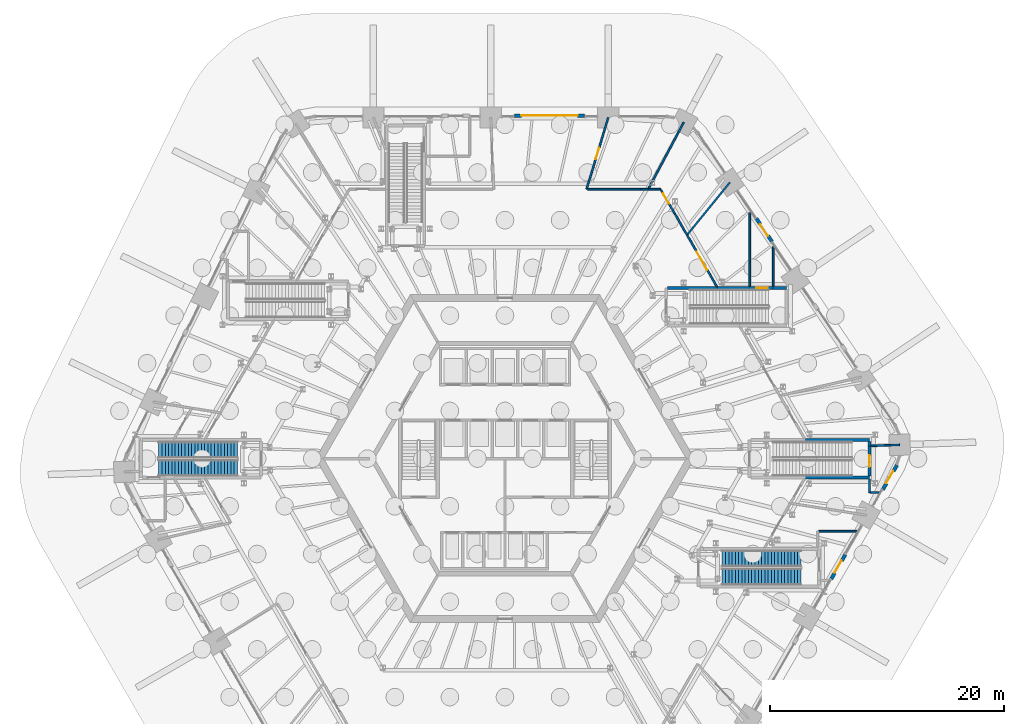
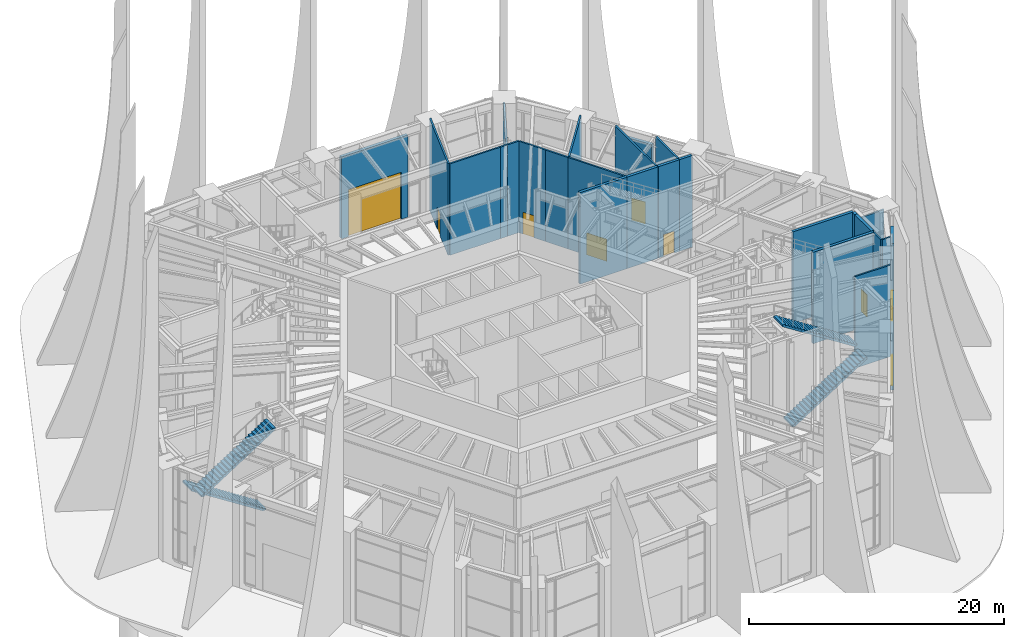
# One storey, part 30 of 43: 27 walls, 9 doors, 4 stair flights, 9 openings, 2 elements without a shape of their own.
"""IFC4 building model written with IfcOpenShell, lengths in metres."""

from ifc_helpers import new_model, si_unit, direction, frame, frame_2d, origin, place, context, subcontext, project, spatial, polyline, rectangle, outline, extrude, material, layer, layer_set, type_object, element, fill, aggregate, save


model = new_model("IFC4")

# Units and contexts
model_context = context("Model", 3, precision=1e-05, world=origin(), true_north=direction((0.0, 1.0)))
body_context = subcontext(model_context, "Body", "Model", "MODEL_VIEW")
ifc_project = project(units=[si_unit("LENGTHUNIT", "METRE"), si_unit("AREAUNIT", "SQUARE_METRE"), si_unit("VOLUMEUNIT", "CUBIC_METRE"), si_unit("PLANEANGLEUNIT", "RADIAN"), si_unit("MASSUNIT", "GRAM", prefix="KILO")], contexts=[model_context])

# Site, building, storey
site_placement = place(None, origin())
site = spatial("IfcSite", under=ifc_project, at=site_placement, CompositionType="ELEMENT")
building_placement = place(site_placement, origin())
building = spatial("IfcBuilding", under=site, at=building_placement, Name="Tarnside Tower", CompositionType="ELEMENT")
storey_placement = place(building_placement, origin())
storey = spatial("IfcBuildingStorey", under=building, at=storey_placement, Name="L00", CompositionType="ELEMENT", Elevation=0.0)

# Wall, opening, door
ifc_material_1 = material(Name="Concrete C50/60 white precast", Category="concrete")
ifc_layer_1 = layer(ifc_material_1, 0.300048828125)
ifc_layer_set_1 = layer_set([ifc_layer_1], Name="Entrance portal wall 300")
wall_type_1 = type_object("IfcWallType", Name="Entrance portal wall 300", PredefinedType="SOLIDWALL", material=ifc_layer_set_1)
wall_1_placement = place(storey_placement, frame((6.80078125, 29.25, 0.0), z_axis=(0.0, 0.0, 1.0), x_axis=(-1.0, 0.0, 0.0)))
wall_1 = element("IfcWall", 1, at=wall_1_placement, inside=storey, type_object=wall_type_1, Name="Entrance portal wall station 00", PredefinedType="SOLIDWALL", context=body_context, shape_type="SweptSolid", body=[
    extrude(rectangle(XDim=6.0, YDim=0.300048828125, at=frame_2d((3.0, 0.0))), origin(), (0.0, 0.0, 1.0), 7.823486328125),
])
opening_1_placement = place(wall_1_placement, frame((0.60009765625, 0.0, 0.0)))
opening_1 = element("IfcOpeningElement", 2, at=opening_1_placement, cuts=wall_1, Name="Opening DE4800", PredefinedType="OPENING", context=body_context, shape_type="SweptSolid", body=[
    extrude(rectangle(XDim=4.800048828125, YDim=4.5, at=frame_2d((2.39990234375, 2.25))), frame((0.0, 0.16015625, 0.0), z_axis=(0.0, -1.0, 0.0), x_axis=(1.0, 0.0, 0.0)), (0.0, 0.0, 1.0), 0.320068359375),
])
ifc_material_2 = material(Name="Aluminium-framed toughened glass", Category="aluminium")
door_type_1 = type_object("IfcDoorType", Name="Station entrance door 4800 x 4500", OperationType="DOUBLE_DOOR_SLIDING", PredefinedType="DOOR", material=ifc_material_2)
door_1_placement = place(opening_1_placement, frame((0.0, -0.02490234375, 0.0)))
door_1 = element("IfcDoor", 3, at=door_1_placement, inside=storey, type_object=door_type_1, Name="Station entrance door 01", OperationType="DOUBLE_DOOR_SLIDING", OverallHeight=4.5, OverallWidth=4.800048828125, PredefinedType="DOOR", context=body_context, shape_type="SweptSolid", body=[
    extrude(rectangle(XDim=4.800048828125, YDim=4.5, at=frame_2d((2.39990234375, 2.25))), frame((0.0, 0.02490234375, 0.0), z_axis=(0.0, -1.0, 0.0), x_axis=(1.0, 0.0, 0.0)), (0.0, 0.0, 1.0), 0.050048828125),
])
fill(opening_1, door_1)

wall_2_placement = place(storey_placement, frame((29.042724609375, -8.196533203125, 0.0), z_axis=(0.0, 0.0, 1.0), x_axis=(-0.500001309137, -0.866024647952, 0.0)))
wall_2 = element("IfcWall", 4, at=wall_2_placement, inside=storey, type_object=wall_type_1, Name="Exit portal wall PS5", PredefinedType="SOLIDWALL", context=body_context, shape_type="SweptSolid", body=[
    extrude(rectangle(XDim=2.39990234375, YDim=0.300048828125, at=frame_2d((1.199951171875, 0.0))), origin(), (0.0, 0.0, 1.0), 7.823486328125),
])
opening_2_placement = place(wall_2_placement, frame((0.60009765625, 0.0, 0.0)))
opening_2 = element("IfcOpeningElement", 5, at=opening_2_placement, cuts=wall_2, Name="Opening DX1200", PredefinedType="OPENING", context=body_context, shape_type="SweptSolid", body=[
    extrude(rectangle(XDim=1.199951171875, YDim=2.10009765625, at=frame_2d((0.60009765625, 1.050048828125))), frame((0.0, 0.16015625, 0.0), z_axis=(0.0, -1.0, 0.0), x_axis=(1.0, 0.0, 0.0)), (0.0, 0.0, 1.0), 0.320068359375),
])
door_type_2 = type_object("IfcDoorType", Name="Final exit door 1200 x 2100", OperationType="NOTDEFINED", PredefinedType="DOOR", material=ifc_material_2)
door_2_placement = place(opening_2_placement, frame((0.0, -0.02490234375, 0.0)))
door_2 = element("IfcDoor", 6, at=door_2_placement, inside=storey, type_object=door_type_2, Name="Final exit door PS5", OperationType="SINGLE_SWING_LEFT", OverallHeight=2.10009765625, OverallWidth=1.199951171875, PredefinedType="DOOR", context=body_context, shape_type="SweptSolid", body=[
    extrude(rectangle(XDim=1.199951171875, YDim=2.10009765625, at=frame_2d((0.60009765625, 1.050048828125))), frame((0.0, 0.02490234375, 0.0), z_axis=(0.0, -1.0, 0.0), x_axis=(1.0, 0.0, 0.0)), (0.0, 0.0, 1.0), 0.050048828125),
])
fill(opening_2, door_2)

wall_3_placement = place(storey_placement, frame((33.45458984375, -0.554931640625, 0.0), z_axis=(0.0, 0.0, 1.0), x_axis=(-0.499957262057, -0.866050077142, 0.0)))
wall_3 = element("IfcWall", 7, at=wall_3_placement, inside=storey, type_object=wall_type_1, Name="Exit portal wall PS3", PredefinedType="SOLIDWALL", context=body_context, shape_type="SweptSolid", body=[
    extrude(rectangle(XDim=2.400146484375, YDim=0.300048828125, at=frame_2d((1.2001953125, 0.0))), origin(), (0.0, 0.0, 1.0), 7.823486328125),
])
opening_3_placement = place(wall_3_placement, frame((0.60009765625, 0.0, 0.0)))
opening_3 = element("IfcOpeningElement", 8, at=opening_3_placement, cuts=wall_3, Name="Opening DX1200", PredefinedType="OPENING", context=body_context, shape_type="SweptSolid", body=[
    extrude(rectangle(XDim=1.199951171875, YDim=2.10009765625, at=frame_2d((0.60009765625, 1.050048828125))), frame((0.0, 0.16015625, 0.0), z_axis=(0.0, -1.0, 0.0), x_axis=(1.0, 0.0, 0.0)), (0.0, 0.0, 1.0), 0.320068359375),
])
door_3_placement = place(opening_3_placement, frame((0.0, -0.02490234375, 0.0)))
door_3 = element("IfcDoor", 9, at=door_3_placement, inside=storey, type_object=door_type_2, Name="Final exit door PS3", OperationType="SINGLE_SWING_LEFT", OverallHeight=2.10009765625, OverallWidth=1.199951171875, PredefinedType="DOOR", context=body_context, shape_type="SweptSolid", body=[
    extrude(rectangle(XDim=1.199951171875, YDim=2.10009765625, at=frame_2d((0.60009765625, 1.050048828125))), frame((0.0, 0.02490234375, 0.0), z_axis=(0.0, -1.0, 0.0), x_axis=(1.0, 0.0, 0.0)), (0.0, 0.0, 1.0), 0.050048828125),
])
fill(opening_3, door_3)

wall_4_placement = place(storey_placement, frame((21.452880859375, 20.502197265625, 0.0), z_axis=(0.0, 0.0, 1.0), x_axis=(0.559175815241, -0.829049098456, 0.0)))
wall_4 = element("IfcWall", 10, at=wall_4_placement, inside=storey, type_object=wall_type_1, Name="Exit portal wall PS4", PredefinedType="SOLIDWALL", context=body_context, shape_type="SweptSolid", body=[
    extrude(rectangle(XDim=2.400146484375, YDim=0.300048828125, at=frame_2d((1.2001953125, 0.0))), origin(), (0.0, 0.0, 1.0), 7.823486328125),
])
opening_4_placement = place(wall_4_placement, frame((0.60009765625, 0.0, 0.0)))
opening_4 = element("IfcOpeningElement", 11, at=opening_4_placement, cuts=wall_4, Name="Opening DX1200", PredefinedType="OPENING", context=body_context, shape_type="SweptSolid", body=[
    extrude(rectangle(XDim=1.199951171875, YDim=2.10009765625, at=frame_2d((0.60009765625, 1.050048828125))), frame((0.0, 0.16015625, 0.0), z_axis=(0.0, -1.0, 0.0), x_axis=(1.0, 0.0, 0.0)), (0.0, 0.0, 1.0), 0.320068359375),
])
door_4_placement = place(opening_4_placement, frame((0.0, -0.02490234375, 0.0)))
door_4 = element("IfcDoor", 12, at=door_4_placement, inside=storey, type_object=door_type_2, Name="Final exit door PS4", OperationType="SINGLE_SWING_LEFT", OverallHeight=2.10009765625, OverallWidth=1.199951171875, PredefinedType="DOOR", context=body_context, shape_type="SweptSolid", body=[
    extrude(rectangle(XDim=1.199951171875, YDim=2.10009765625, at=frame_2d((0.60009765625, 1.050048828125))), frame((0.0, 0.02490234375, 0.0), z_axis=(0.0, -1.0, 0.0), x_axis=(1.0, 0.0, 0.0)), (0.0, 0.0, 1.0), 0.050048828125),
])
fill(opening_4, door_4)

ifc_material_3 = material(Name="Gypsum board")
ifc_layer_2 = layer(ifc_material_3, 0.14990234375)
ifc_layer_set_2 = layer_set([ifc_layer_2], Name="Partition 150 gypsum board on metal stud")
wall_type_2 = type_object("IfcWallType", Name="Partition 150 gypsum board on metal stud", PredefinedType="PARTITIONING", material=ifc_layer_set_2)
wall_5_placement = place(storey_placement, frame((8.81298828125, 29.10009765625, 0.0), z_axis=(0.0, 0.0, 1.0), x_axis=(-0.289919157487, -0.957051138718, 0.0)))
wall_5 = element("IfcWall", 13, at=wall_5_placement, inside=storey, type_object=wall_type_2, Name="Partition 069", PredefinedType="PARTITIONING", context=body_context, shape_type="SweptSolid", body=[
    extrude(rectangle(XDim=6.373779296875, YDim=0.14990234375, at=frame_2d((3.18701171875, 0.0))), origin(), (0.0, 0.0, 1.0), 8.75),
])
opening_5_placement = place(wall_5_placement, frame((2.68701171875, 0.0, 0.0)))
opening_5 = element("IfcOpeningElement", 14, at=opening_5_placement, cuts=wall_5, Name="Opening D1000F30", PredefinedType="OPENING", context=body_context, shape_type="SweptSolid", body=[
    extrude(rectangle(XDim=1.0, YDim=2.10009765625, at=frame_2d((0.5, 1.050048828125))), frame((0.0, 0.0849609375, 0.0), z_axis=(0.0, -1.0, 0.0), x_axis=(1.0, 0.0, 0.0)), (0.0, 0.0, 1.0), 0.169921875),
])
ifc_material_4 = material(Name="Timber door leaf", Category="wood")
door_type_3 = type_object("IfcDoorType", Name="Door 1000 x 2100 single leaf FD30S fire door", OperationType="NOTDEFINED", PredefinedType="DOOR", material=ifc_material_4)
door_5_placement = place(opening_5_placement, origin())
door_5 = element("IfcDoor", 15, at=door_5_placement, inside=storey, type_object=door_type_3, Name="Door L00-21", OperationType="SINGLE_SWING_RIGHT", OverallHeight=2.10009765625, OverallWidth=1.0, PredefinedType="DOOR", context=body_context, shape_type="SweptSolid", body=[
    extrude(rectangle(XDim=1.0, YDim=2.10009765625, at=frame_2d((0.5, 1.050048828125))), frame((0.0, 0.02490234375, 0.0), z_axis=(0.0, -1.0, 0.0), x_axis=(1.0, 0.0, 0.0)), (0.0, 0.0, 1.0), 0.050048828125),
])
fill(opening_5, door_5)

# Walls
wall_6_placement = place(storey_placement, frame((11.59912109375, 23.0, 0.0), z_axis=(0.0, 0.0, 1.0), x_axis=(-1.0, 0.0, 0.0)))
element("IfcWall", 16, at=wall_6_placement, inside=storey, type_object=wall_type_2, Name="Partition 073", PredefinedType="PARTITIONING", context=body_context, shape_type="SweptSolid", body=[
    extrude(rectangle(XDim=4.5556640625, YDim=0.14990234375, at=frame_2d((2.27783203125, 0.0))), origin(), (0.0, 0.0, 1.0), 8.75),
])
wall_7_placement = place(storey_placement, frame((12.22900390625, 23.0, 0.0), z_axis=(0.0, 0.0, 1.0), x_axis=(-1.0, 0.0, 0.0)))
element("IfcWall", 17, at=wall_7_placement, inside=storey, type_object=wall_type_2, Name="Partition 074", PredefinedType="PARTITIONING", context=body_context, shape_type="SweptSolid", body=[
    extrude(rectangle(XDim=0.652099609375, YDim=0.14990234375, at=frame_2d((0.326171875, 0.0))), origin(), (0.0, 0.0, 1.0), 8.75),
])
wall_8_placement = place(storey_placement, frame((13.279052734375, 23.0, 0.0), z_axis=(0.0, 0.0, 1.0), x_axis=(-1.0, 0.0, 0.0)))
element("IfcWall", 18, at=wall_8_placement, inside=storey, type_object=wall_type_2, Name="Partition 076", PredefinedType="PARTITIONING", context=body_context, shape_type="SweptSolid", body=[
    extrude(rectangle(XDim=1.050048828125, YDim=0.14990234375, at=frame_2d((0.52490234375, 0.0))), origin(), (0.0, 0.0, 1.0), 8.75),
])

# Wall, opening, door
wall_9_placement = place(storey_placement, frame((14.51611328125, 20.85791015625, 0.0), z_axis=(0.0, 0.0, 1.0), x_axis=(-0.500120827299, 0.865955632871, 0.0)))
wall_9 = element("IfcWall", 19, at=wall_9_placement, inside=storey, type_object=wall_type_2, Name="Partition 081", PredefinedType="PARTITIONING", context=body_context, shape_type="SweptSolid", body=[
    extrude(rectangle(XDim=2.38720703125, YDim=0.14990234375, at=frame_2d((1.193603515625, 0.0))), origin(), (0.0, 0.0, 1.0), 8.75),
])
opening_6_placement = place(wall_9_placement, frame((1.04345703125, 0.0, 0.0)))
opening_6 = element("IfcOpeningElement", 20, at=opening_6_placement, cuts=wall_9, Name="Opening D1000F30", PredefinedType="OPENING", context=body_context, shape_type="SweptSolid", body=[
    extrude(rectangle(XDim=1.0, YDim=2.10009765625, at=frame_2d((0.5, 1.050048828125))), frame((0.0, 0.0849609375, 0.0), z_axis=(0.0, -1.0, 0.0), x_axis=(1.0, 0.0, 0.0)), (0.0, 0.0, 1.0), 0.169921875),
])
door_6_placement = place(opening_6_placement, origin())
door_6 = element("IfcDoor", 21, at=door_6_placement, inside=storey, type_object=door_type_3, Name="Door L00-24", OperationType="SINGLE_SWING_LEFT", OverallHeight=2.10009765625, OverallWidth=1.0, PredefinedType="DOOR", context=body_context, shape_type="SweptSolid", body=[
    extrude(rectangle(XDim=1.0, YDim=2.10009765625, at=frame_2d((0.5, 1.050048828125))), frame((0.0, 0.02490234375, 0.0), z_axis=(0.0, -1.0, 0.0), x_axis=(1.0, 0.0, 0.0)), (0.0, 0.0, 1.0), 0.050048828125),
])
fill(opening_6, door_6)

# Walls
wall_10_placement = place(storey_placement, frame((15.260986328125, 28.700927734375, 0.0), z_axis=(0.0, 0.0, 1.0), x_axis=(-0.469569765, -0.88289537081, 0.0)))
element("IfcWall", 22, at=wall_10_placement, inside=storey, type_object=wall_type_2, Name="Partition 083", PredefinedType="PARTITIONING", context=body_context, shape_type="SweptSolid", body=[
    extrude(rectangle(XDim=6.3720703125, YDim=0.14990234375, at=frame_2d((3.18603515625, 0.0))), origin(), (0.0, 0.0, 1.0), 8.296630859375),
])
wall_11_placement = place(storey_placement, frame((15.5390625, 19.0859375, 0.0), z_axis=(0.0, 0.0, 1.0), x_axis=(-0.500049439734, 0.865996857859, 0.0)))
element("IfcWall", 23, at=wall_11_placement, inside=storey, type_object=wall_type_2, Name="Partition 084", PredefinedType="PARTITIONING", context=body_context, shape_type="SweptSolid", body=[
    extrude(rectangle(XDim=2.068115234375, YDim=0.14990234375, at=frame_2d((1.0341796875, 0.0))), origin(), (0.0, 0.0, 1.0), 8.75),
])

# Wall, opening, door
wall_12_placement = place(storey_placement, frame((15.5390625, 19.0859375, 0.0), z_axis=(0.0, 0.0, 1.0), x_axis=(0.500036405339, -0.866004384132, 0.0)))
wall_12 = element("IfcWall", 24, at=wall_12_placement, inside=storey, type_object=wall_type_2, Name="Partition 091", PredefinedType="PARTITIONING", context=body_context, shape_type="SweptSolid", body=[
    extrude(rectangle(XDim=5.09326171875, YDim=0.14990234375, at=frame_2d((2.546630859375, 0.0))), origin(), (0.0, 0.0, 1.0), 8.75),
])
opening_7_placement = place(wall_12_placement, frame((1.646728515625, 0.0, 0.0)))
opening_7 = element("IfcOpeningElement", 25, at=opening_7_placement, cuts=wall_12, Name="Opening D1800F30", PredefinedType="OPENING", context=body_context, shape_type="SweptSolid", body=[
    extrude(rectangle(XDim=1.800048828125, YDim=2.10009765625, at=frame_2d((0.89990234375, 1.050048828125))), frame((0.0, 0.0849609375, 0.0), z_axis=(0.0, -1.0, 0.0), x_axis=(1.0, 0.0, 0.0)), (0.0, 0.0, 1.0), 0.169921875),
])
door_type_4 = type_object("IfcDoorType", Name="Door pair 1800 x 2100 FD30S fire door", OperationType="NOTDEFINED", PredefinedType="DOOR", material=ifc_material_4)
door_7_placement = place(opening_7_placement, origin())
door_7 = element("IfcDoor", 26, at=door_7_placement, inside=storey, type_object=door_type_4, Name="Door L00-27", OperationType="DOUBLE_DOOR_SINGLE_SWING", OverallHeight=2.10009765625, OverallWidth=1.800048828125, PredefinedType="DOOR", context=body_context, shape_type="SweptSolid", body=[
    extrude(rectangle(XDim=1.800048828125, YDim=2.10009765625, at=frame_2d((0.89990234375, 1.050048828125))), frame((0.0, 0.02490234375, 0.0), z_axis=(0.0, -1.0, 0.0), x_axis=(1.0, 0.0, 0.0)), (0.0, 0.0, 1.0), 0.050048828125),
])
fill(opening_7, door_7)

# Walls
wall_13_placement = place(storey_placement, frame((19.197021484375, 23.577880859375, 0.0), z_axis=(0.0, 0.0, 1.0), x_axis=(-0.631467457847, -0.775402379208, 0.0)))
element("IfcWall", 27, at=wall_13_placement, inside=storey, type_object=wall_type_2, Name="Partition 092", PredefinedType="PARTITIONING", context=body_context, shape_type="SweptSolid", body=[
    extrude(rectangle(XDim=5.712646484375, YDim=0.14990234375, at=frame_2d((2.8564453125, 0.0))), origin(), (0.0, 0.0, 1.0), 8.75),
])
wall_14_placement = place(storey_placement, frame((20.89990234375, 14.675048828125, 0.0), z_axis=(0.0, 0.0, 1.0), x_axis=(0.0, 1.0, 0.0)))
element("IfcWall", 28, at=wall_14_placement, inside=storey, type_object=wall_type_2, Name="Partition 097", PredefinedType="PARTITIONING", context=body_context, shape_type="SweptSolid", body=[
    extrude(rectangle(XDim=6.324951171875, YDim=0.14990234375, at=frame_2d((3.16259765625, 0.0))), origin(), (0.0, 0.0, 1.0), 8.75),
])
wall_15_placement = place(storey_placement, frame((22.89990234375, 18.089111328125, 0.0), z_axis=(0.0, 0.0, 1.0), x_axis=(0.0, -1.0, 0.0)))
element("IfcWall", 29, at=wall_15_placement, inside=storey, type_object=wall_type_2, Name="Partition 104", PredefinedType="PARTITIONING", context=body_context, shape_type="SweptSolid", body=[
    extrude(rectangle(XDim=3.4140625, YDim=0.14990234375, at=frame_2d((1.70703125, 0.0))), origin(), (0.0, 0.0, 1.0), 8.75),
])
wall_16_placement = place(storey_placement, frame((26.77490234375, -6.199951171875, 0.0), z_axis=(0.0, 0.0, 1.0), x_axis=(1.0, 0.0, 0.0)))
element("IfcWall", 30, at=wall_16_placement, inside=storey, type_object=wall_type_2, Name="Partition 114", PredefinedType="PARTITIONING", context=body_context, shape_type="SweptSolid", body=[
    extrude(rectangle(XDim=3.2470703125, YDim=0.14990234375, at=frame_2d((1.62353515625, 0.0))), origin(), (0.0, 0.0, 1.0), 8.75),
])
wall_17_placement = place(storey_placement, frame((31.1201171875, -2.89990234375, 0.0), z_axis=(0.0, 0.0, 1.0), x_axis=(0.0, 1.0, 0.0)))
element("IfcWall", 31, at=wall_17_placement, inside=storey, type_object=wall_type_2, Name="Partition 121", PredefinedType="PARTITIONING", context=body_context, shape_type="SweptSolid", body=[
    extrude(rectangle(XDim=1.14990234375, YDim=0.14990234375, at=frame_2d((0.574951171875, 0.0))), origin(), (0.0, 0.0, 1.0), 8.75),
])
wall_18_placement = place(storey_placement, frame((31.25, 1.09130859375, 0.0), z_axis=(0.0, 0.0, 1.0), x_axis=(0.999395360939, 0.034769419515, 0.0)))
element("IfcWall", 32, at=wall_18_placement, inside=storey, type_object=wall_type_2, Name="Partition 124", PredefinedType="PARTITIONING", context=body_context, shape_type="SweptSolid", body=[
    extrude(rectangle(XDim=2.4365234375, YDim=0.14990234375, at=frame_2d((1.21826171875, 0.0))), origin(), (0.0, 0.0, 1.0), 8.296630859375),
])
wall_19_placement = place(storey_placement, frame((31.927001953125, -2.89990234375, 0.0), z_axis=(0.0, 0.0, 1.0), x_axis=(-1.0, 0.0, 0.0)))
element("IfcWall", 33, at=wall_19_placement, inside=storey, type_object=wall_type_2, Name="Partition 126", PredefinedType="PARTITIONING", context=body_context, shape_type="SweptSolid", body=[
    extrude(rectangle(XDim=0.73193359375, YDim=0.14990234375, at=frame_2d((0.365966796875, 0.0))), origin(), (0.0, 0.0, 1.0), 8.75),
])
ifc_material_5 = material(Name="Concrete C32/40", Category="concrete")
ifc_layer_3 = layer(ifc_material_5, 0.25)
ifc_layer_set_3 = layer_set([ifc_layer_3], Name="Wall 250 reinforced Concrete C32/40")
wall_type_3 = type_object("IfcWallType", Name="Wall 250 reinforced Concrete C32/40", PredefinedType="PARTITIONING", material=ifc_layer_set_3)
wall_20_placement = place(storey_placement, frame((13.889892578125, 14.550048828125, 0.0), z_axis=(0.0, 0.0, 1.0), x_axis=(1.0, 0.0, 0.0)))
element("IfcWall", 34, at=wall_20_placement, inside=storey, type_object=wall_type_3, Name="Partition 078", PredefinedType="PARTITIONING", context=body_context, shape_type="SweptSolid", body=[
    extrude(rectangle(XDim=4.278076171875, YDim=0.25, at=frame_2d((2.13916015625, 0.0))), origin(), (0.0, 0.0, 1.0), 8.75),
])
wall_21_placement = place(storey_placement, frame((18.14599609375, 14.550048828125, 0.0), z_axis=(0.0, 0.0, 1.0), x_axis=(1.0, 0.0, 0.0)))
element("IfcWall", 35, at=wall_21_placement, inside=storey, type_object=wall_type_3, Name="Partition 090", PredefinedType="PARTITIONING", context=body_context, shape_type="SweptSolid", body=[
    extrude(rectangle(XDim=2.763916015625, YDim=0.25, at=frame_2d((1.3818359375, 0.0))), origin(), (0.0, 0.0, 1.0), 8.75),
])
wall_22_placement = place(storey_placement, frame((22.889892578125, 14.550048828125, 0.0), z_axis=(0.0, 0.0, 1.0), x_axis=(1.0, 0.0, 0.0)))
element("IfcWall", 36, at=wall_22_placement, inside=storey, type_object=wall_type_3, Name="Partition 102", PredefinedType="PARTITIONING", context=body_context, shape_type="SweptSolid", body=[
    extrude(rectangle(XDim=1.14501953125, YDim=0.25, at=frame_2d((0.572509765625, 0.0))), origin(), (0.0, 0.0, 1.0), 8.75),
])

# Wall, opening, door
wall_23_placement = place(storey_placement, frame((20.97509765625, 14.550048828125, 0.0), z_axis=(0.0, 0.0, 1.0), x_axis=(1.0, 0.0, 0.0)))
wall_23 = element("IfcWall", 37, at=wall_23_placement, inside=storey, type_object=wall_type_3, Name="Partition 103", PredefinedType="PARTITIONING", context=body_context, shape_type="SweptSolid", body=[
    extrude(rectangle(XDim=1.9248046875, YDim=0.25, at=frame_2d((0.96240234375, 0.0))), origin(), (0.0, 0.0, 1.0), 8.75),
])
opening_8_placement = place(wall_23_placement, frame((0.46240234375, 0.0, 0.0)))
opening_8 = element("IfcOpeningElement", 38, at=opening_8_placement, cuts=wall_23, Name="Opening D1000F60S", PredefinedType="OPENING", context=body_context, shape_type="SweptSolid", body=[
    extrude(rectangle(XDim=1.0, YDim=2.10009765625, at=frame_2d((0.5, 1.050048828125))), frame((0.0, 0.135009765625, 0.0), z_axis=(0.0, -1.0, 0.0), x_axis=(1.0, 0.0, 0.0)), (0.0, 0.0, 1.0), 0.27001953125),
])
door_type_5 = type_object("IfcDoorType", Name="Door 1000 x 2100 single leaf FD60S fire door", OperationType="NOTDEFINED", PredefinedType="DOOR", material=ifc_material_4)
door_8_placement = place(opening_8_placement, origin())
door_8 = element("IfcDoor", 39, at=door_8_placement, inside=storey, type_object=door_type_5, Name="Door L00-30", OperationType="SINGLE_SWING_LEFT", OverallHeight=2.10009765625, OverallWidth=1.0, PredefinedType="DOOR", context=body_context, shape_type="SweptSolid", body=[
    extrude(rectangle(XDim=1.0, YDim=2.10009765625, at=frame_2d((0.5, 1.050048828125))), frame((0.0, 0.02490234375, 0.0), z_axis=(0.0, -1.0, 0.0), x_axis=(1.0, 0.0, 0.0)), (0.0, 0.0, 1.0), 0.050048828125),
])
fill(opening_8, door_8)

# Walls
wall_24_placement = place(storey_placement, frame((25.636962890625, 1.574951171875, 0.0), z_axis=(0.0, 0.0, 1.0), x_axis=(1.0, 0.0, 0.0)))
element("IfcWall", 40, at=wall_24_placement, inside=storey, type_object=wall_type_3, Name="Partition 111", PredefinedType="PARTITIONING", context=body_context, shape_type="SweptSolid", body=[
    extrude(rectangle(XDim=5.488037109375, YDim=0.25, at=frame_2d((2.744140625, 0.0))), origin(), (0.0, 0.0, 1.0), 8.75),
])
wall_25_placement = place(storey_placement, frame((31.125, -1.625, 0.0), z_axis=(0.0, 0.0, 1.0), x_axis=(-1.0, 0.0, 0.0)))
element("IfcWall", 41, at=wall_25_placement, inside=storey, type_object=wall_type_3, Name="Partition 122", PredefinedType="PARTITIONING", context=body_context, shape_type="SweptSolid", body=[
    extrude(rectangle(XDim=5.51708984375, YDim=0.25, at=frame_2d((2.758544921875, 0.0))), origin(), (0.0, 0.0, 1.0), 8.75),
])

# Wall, opening, door
wall_26_placement = place(storey_placement, frame((31.125, 1.0869140625, 0.0), z_axis=(0.0, 0.0, 1.0), x_axis=(0.0, -1.0, 0.0)))
wall_26 = element("IfcWall", 42, at=wall_26_placement, inside=storey, type_object=wall_type_3, Name="Partition 123", PredefinedType="PARTITIONING", context=body_context, shape_type="SweptSolid", body=[
    extrude(rectangle(XDim=2.5869140625, YDim=0.25, at=frame_2d((1.29345703125, 0.0))), origin(), (0.0, 0.0, 1.0), 8.75),
])
opening_9_placement = place(wall_26_placement, frame((0.79345703125, 0.0, 0.0)))
opening_9 = element("IfcOpeningElement", 43, at=opening_9_placement, cuts=wall_26, Name="Opening D1000F60S", PredefinedType="OPENING", context=body_context, shape_type="SweptSolid", body=[
    extrude(rectangle(XDim=1.0, YDim=2.10009765625, at=frame_2d((0.5, 1.050048828125))), frame((0.0, 0.135009765625, 0.0), z_axis=(0.0, -1.0, 0.0), x_axis=(1.0, 0.0, 0.0)), (0.0, 0.0, 1.0), 0.27001953125),
])
door_9_placement = place(opening_9_placement, origin())
door_9 = element("IfcDoor", 44, at=door_9_placement, inside=storey, type_object=door_type_5, Name="Door L00-35", OperationType="SINGLE_SWING_RIGHT", OverallHeight=2.10009765625, OverallWidth=1.0, PredefinedType="DOOR", context=body_context, shape_type="SweptSolid", body=[
    extrude(rectangle(XDim=1.0, YDim=2.10009765625, at=frame_2d((0.5, 1.050048828125))), frame((0.0, 0.02490234375, 0.0), z_axis=(0.0, -1.0, 0.0), x_axis=(1.0, 0.0, 0.0)), (0.0, 0.0, 1.0), 0.050048828125),
])
fill(opening_9, door_9)

# Wall
wall_27_placement = place(storey_placement, frame((31.125, 1.449951171875, 0.0), z_axis=(0.0, 0.0, 1.0), x_axis=(0.0, -1.0, 0.0)))
element("IfcWall", 45, at=wall_27_placement, inside=storey, type_object=wall_type_3, Name="Partition 125", PredefinedType="PARTITIONING", context=body_context, shape_type="SweptSolid", body=[
    extrude(rectangle(XDim=0.373046875, YDim=0.25, at=frame_2d((0.1865234375, 0.0))), origin(), (0.0, 0.0, 1.0), 8.75),
])

# Stair, stair flights
ifc_material_6 = material(Name="Concrete C40/50", Category="concrete")
stair_type = type_object("IfcStairType", Name="Podium exit stair 1400 clear", PredefinedType="HALF_TURN_STAIR", material=ifc_material_6)
stair_1_placement = place(storey_placement, origin())
stair_1 = element("IfcStair", 46, at=stair_1_placement, inside=storey, type_object=stair_type, Name="L00 Podium exit stair 2", PredefinedType="HALF_TURN_STAIR")
stair_flight_type = type_object("IfcStairFlightType", Name="Podium exit stair flight 1400", PredefinedType="STRAIGHT", material=ifc_material_6)
stair_flight_1_placement = place(storey_placement, frame((-22.830078125, 0.75, 0.0), z_axis=(0.0, 0.0, 1.0), x_axis=(-1.0, 0.0, 0.0)))
stair_flight_1 = element("IfcStairFlight", 47, at=stair_flight_1_placement, type_object=stair_flight_type, Name="PS2 flight 1", NumberOfRisers=25, NumberOfTreads=24, PredefinedType="STRAIGHT", RiserHeight=0.18, TreadLength=0.28, context=body_context, shape_type="SweptSolid", body=[
    extrude(outline(polyline([(0.0, 0.0), (0.0, 0.179931640625), (0.280029296875, 0.179931640625), (0.280029296875, 0.360107421875), (0.56005859375, 0.360107421875), (0.56005859375, 0.5400390625), (0.840087890625, 0.5400390625), (0.840087890625, 0.719970703125), (1.1201171875, 0.719970703125), (1.1201171875, 0.89990234375), (1.39990234375, 0.89990234375), (1.39990234375, 1.080078125), (1.679931640625, 1.080078125), (1.679931640625, 1.260009765625), (1.9599609375, 1.260009765625), (1.9599609375, 1.43994140625), (2.239990234375, 1.43994140625), (2.239990234375, 1.6201171875), (2.52001953125, 1.6201171875), (2.52001953125, 1.800048828125), (2.800048828125, 1.800048828125), (2.800048828125, 1.97998046875), (3.080078125, 1.97998046875), (3.080078125, 2.159912109375), (3.360107421875, 2.159912109375), (3.360107421875, 2.340087890625), (3.639892578125, 2.340087890625), (3.639892578125, 2.52001953125), (3.919921875, 2.52001953125), (3.919921875, 2.699951171875), (4.199951171875, 2.699951171875), (4.199951171875, 2.8798828125), (4.47998046875, 2.8798828125), (4.47998046875, 3.06005859375), (4.760009765625, 3.06005859375), (4.760009765625, 3.239990234375), (5.0400390625, 3.239990234375), (5.0400390625, 3.419921875), (5.320068359375, 3.419921875), (5.320068359375, 3.60009765625), (5.60009765625, 3.60009765625), (5.60009765625, 3.780029296875), (5.8798828125, 3.780029296875), (5.8798828125, 3.9599609375), (6.159912109375, 3.9599609375), (6.159912109375, 4.139892578125), (6.43994140625, 4.139892578125), (6.43994140625, 4.320068359375), (6.719970703125, 4.320068359375), (6.719970703125, 4.5), (6.719970703125, 4.141845703125), (0.277099609375, 0.0), (0.0, 0.0)])), frame((0.0, 0.699951171875, 0.0), z_axis=(0.0, -1.0, 0.0), x_axis=(1.0, 0.0, 0.0)), (0.0, 0.0, 1.0), 1.39990234375),
])
stair_flight_2_placement = place(storey_placement, frame((-29.550048828125, -0.800048828125, 4.5), z_axis=(0.0, 0.0, 1.0), x_axis=(1.0, 0.0, 0.0)))
stair_flight_2 = element("IfcStairFlight", 48, at=stair_flight_2_placement, type_object=stair_flight_type, Name="PS2 flight 2", NumberOfRisers=25, NumberOfTreads=24, PredefinedType="STRAIGHT", RiserHeight=0.18, TreadLength=0.28, context=body_context, shape_type="SweptSolid", body=[
    extrude(outline(polyline([(0.0, 0.0), (0.0, 0.179931640625), (0.280029296875, 0.179931640625), (0.280029296875, 0.360107421875), (0.56005859375, 0.360107421875), (0.56005859375, 0.5400390625), (0.840087890625, 0.5400390625), (0.840087890625, 0.719970703125), (1.1201171875, 0.719970703125), (1.1201171875, 0.89990234375), (1.39990234375, 0.89990234375), (1.39990234375, 1.080078125), (1.679931640625, 1.080078125), (1.679931640625, 1.260009765625), (1.9599609375, 1.260009765625), (1.9599609375, 1.43994140625), (2.239990234375, 1.43994140625), (2.239990234375, 1.6201171875), (2.52001953125, 1.6201171875), (2.52001953125, 1.800048828125), (2.800048828125, 1.800048828125), (2.800048828125, 1.97998046875), (3.080078125, 1.97998046875), (3.080078125, 2.159912109375), (3.360107421875, 2.159912109375), (3.360107421875, 2.340087890625), (3.639892578125, 2.340087890625), (3.639892578125, 2.52001953125), (3.919921875, 2.52001953125), (3.919921875, 2.699951171875), (4.199951171875, 2.699951171875), (4.199951171875, 2.8798828125), (4.47998046875, 2.8798828125), (4.47998046875, 3.06005859375), (4.760009765625, 3.06005859375), (4.760009765625, 3.239990234375), (5.0400390625, 3.239990234375), (5.0400390625, 3.419921875), (5.320068359375, 3.419921875), (5.320068359375, 3.60009765625), (5.60009765625, 3.60009765625), (5.60009765625, 3.780029296875), (5.8798828125, 3.780029296875), (5.8798828125, 3.9599609375), (6.159912109375, 3.9599609375), (6.159912109375, 4.139892578125), (6.43994140625, 4.139892578125), (6.43994140625, 4.320068359375), (6.719970703125, 4.320068359375), (6.719970703125, 4.5), (6.719970703125, 4.141845703125), (0.277099609375, 0.0), (0.0, 0.0)])), frame((0.0, 0.699951171875, 0.0), z_axis=(0.0, -1.0, 0.0), x_axis=(1.0, 0.0, 0.0)), (0.0, 0.0, 1.0), 1.39990234375),
])
aggregate(stair_1, [stair_flight_1, stair_flight_2])

stair_2_placement = place(storey_placement, origin())
stair_2 = element("IfcStair", 49, at=stair_2_placement, inside=storey, type_object=stair_type, Name="L00 Podium exit stair 5", PredefinedType="HALF_TURN_STAIR")
stair_flight_3_placement = place(storey_placement, frame((18.5400390625, -10.074951171875, 0.0), z_axis=(0.0, 0.0, 1.0), x_axis=(1.0, 0.0, 0.0)))
stair_flight_3 = element("IfcStairFlight", 50, at=stair_flight_3_placement, type_object=stair_flight_type, Name="PS5 flight 1", NumberOfRisers=25, NumberOfTreads=24, PredefinedType="STRAIGHT", RiserHeight=0.18, TreadLength=0.28, context=body_context, shape_type="SweptSolid", body=[
    extrude(outline(polyline([(0.0, 0.0), (0.0, 0.179931640625), (0.280029296875, 0.179931640625), (0.280029296875, 0.360107421875), (0.56005859375, 0.360107421875), (0.56005859375, 0.5400390625), (0.840087890625, 0.5400390625), (0.840087890625, 0.719970703125), (1.1201171875, 0.719970703125), (1.1201171875, 0.89990234375), (1.39990234375, 0.89990234375), (1.39990234375, 1.080078125), (1.679931640625, 1.080078125), (1.679931640625, 1.260009765625), (1.9599609375, 1.260009765625), (1.9599609375, 1.43994140625), (2.239990234375, 1.43994140625), (2.239990234375, 1.6201171875), (2.52001953125, 1.6201171875), (2.52001953125, 1.800048828125), (2.800048828125, 1.800048828125), (2.800048828125, 1.97998046875), (3.080078125, 1.97998046875), (3.080078125, 2.159912109375), (3.360107421875, 2.159912109375), (3.360107421875, 2.340087890625), (3.639892578125, 2.340087890625), (3.639892578125, 2.52001953125), (3.919921875, 2.52001953125), (3.919921875, 2.699951171875), (4.199951171875, 2.699951171875), (4.199951171875, 2.8798828125), (4.47998046875, 2.8798828125), (4.47998046875, 3.06005859375), (4.760009765625, 3.06005859375), (4.760009765625, 3.239990234375), (5.0400390625, 3.239990234375), (5.0400390625, 3.419921875), (5.320068359375, 3.419921875), (5.320068359375, 3.60009765625), (5.60009765625, 3.60009765625), (5.60009765625, 3.780029296875), (5.8798828125, 3.780029296875), (5.8798828125, 3.9599609375), (6.159912109375, 3.9599609375), (6.159912109375, 4.139892578125), (6.43994140625, 4.139892578125), (6.43994140625, 4.320068359375), (6.719970703125, 4.320068359375), (6.719970703125, 4.5), (6.719970703125, 4.141845703125), (0.277099609375, 0.0), (0.0, 0.0)])), frame((0.0, 0.699951171875, 0.0), z_axis=(0.0, -1.0, 0.0), x_axis=(1.0, 0.0, 0.0)), (0.0, 0.0, 1.0), 1.39990234375),
])
stair_flight_4_placement = place(storey_placement, frame((25.260009765625, -8.52490234375, 4.5), z_axis=(0.0, 0.0, 1.0), x_axis=(-1.0, 0.0, 0.0)))
stair_flight_4 = element("IfcStairFlight", 51, at=stair_flight_4_placement, type_object=stair_flight_type, Name="PS5 flight 2", NumberOfRisers=25, NumberOfTreads=24, PredefinedType="STRAIGHT", RiserHeight=0.18, TreadLength=0.28, context=body_context, shape_type="SweptSolid", body=[
    extrude(outline(polyline([(0.0, 0.0), (0.0, 0.179931640625), (0.280029296875, 0.179931640625), (0.280029296875, 0.360107421875), (0.56005859375, 0.360107421875), (0.56005859375, 0.5400390625), (0.840087890625, 0.5400390625), (0.840087890625, 0.719970703125), (1.1201171875, 0.719970703125), (1.1201171875, 0.89990234375), (1.39990234375, 0.89990234375), (1.39990234375, 1.080078125), (1.679931640625, 1.080078125), (1.679931640625, 1.260009765625), (1.9599609375, 1.260009765625), (1.9599609375, 1.43994140625), (2.239990234375, 1.43994140625), (2.239990234375, 1.6201171875), (2.52001953125, 1.6201171875), (2.52001953125, 1.800048828125), (2.800048828125, 1.800048828125), (2.800048828125, 1.97998046875), (3.080078125, 1.97998046875), (3.080078125, 2.159912109375), (3.360107421875, 2.159912109375), (3.360107421875, 2.340087890625), (3.639892578125, 2.340087890625), (3.639892578125, 2.52001953125), (3.919921875, 2.52001953125), (3.919921875, 2.699951171875), (4.199951171875, 2.699951171875), (4.199951171875, 2.8798828125), (4.47998046875, 2.8798828125), (4.47998046875, 3.06005859375), (4.760009765625, 3.06005859375), (4.760009765625, 3.239990234375), (5.0400390625, 3.239990234375), (5.0400390625, 3.419921875), (5.320068359375, 3.419921875), (5.320068359375, 3.60009765625), (5.60009765625, 3.60009765625), (5.60009765625, 3.780029296875), (5.8798828125, 3.780029296875), (5.8798828125, 3.9599609375), (6.159912109375, 3.9599609375), (6.159912109375, 4.139892578125), (6.43994140625, 4.139892578125), (6.43994140625, 4.320068359375), (6.719970703125, 4.320068359375), (6.719970703125, 4.5), (6.719970703125, 4.141845703125), (0.277099609375, 0.0), (0.0, 0.0)])), frame((0.0, 0.699951171875, 0.0), z_axis=(0.0, -1.0, 0.0), x_axis=(1.0, 0.0, 0.0)), (0.0, 0.0, 1.0), 1.39990234375),
])
aggregate(stair_2, [stair_flight_3, stair_flight_4])

save(model, "model.ifc")
